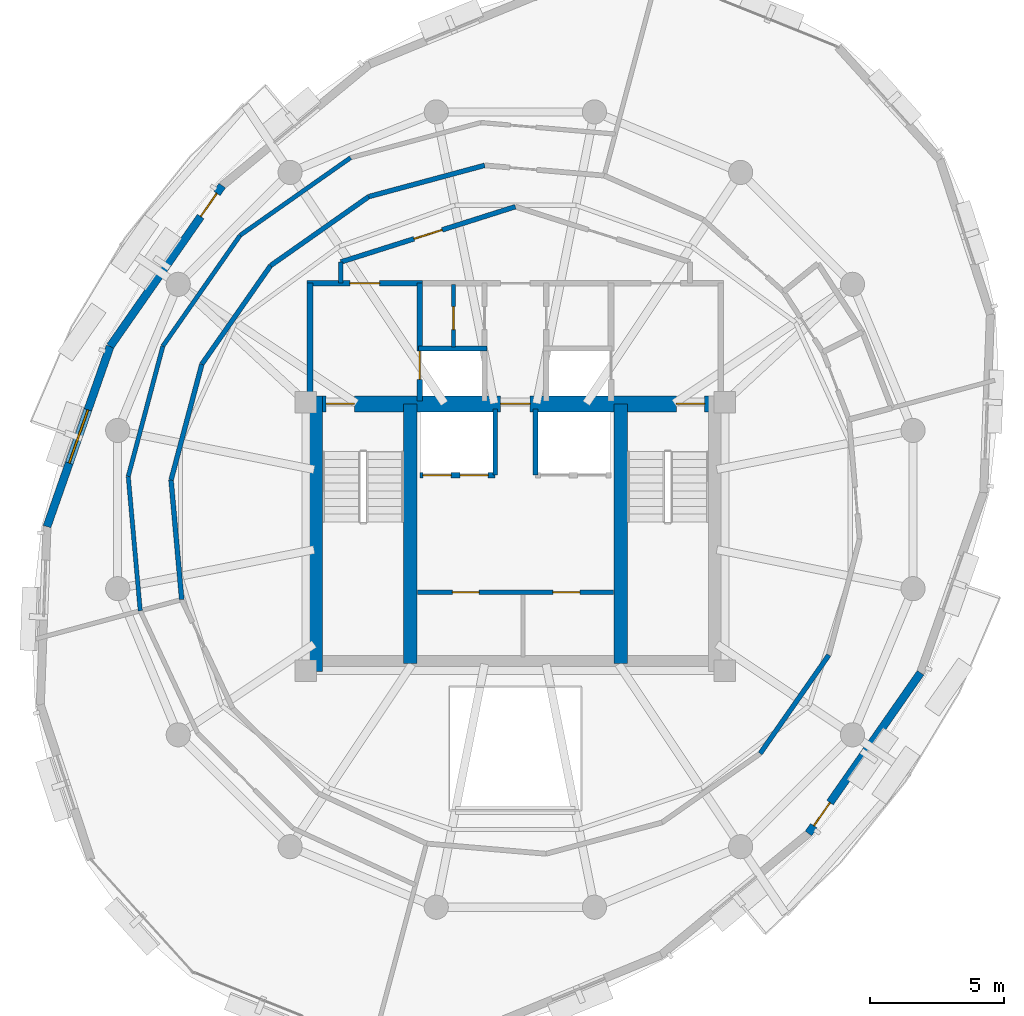
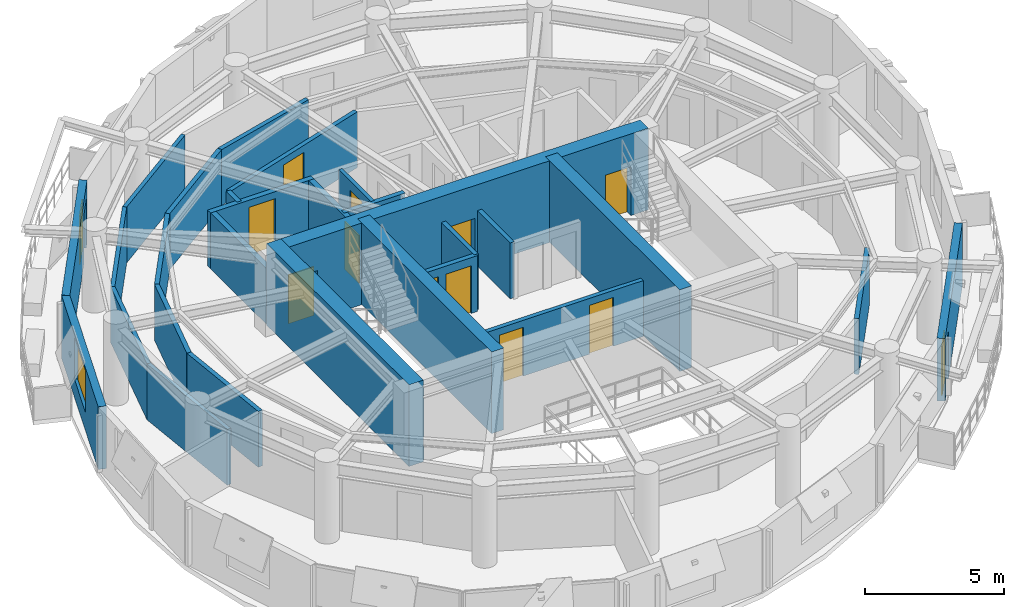
# One storey, part 7 of 11: 28 walls, 13 doors, 1 window, 14 openings.
"""IFC4 building model written with IfcOpenShell, lengths in metres."""

from ifc_helpers import new_model, si_unit, direction, frame, frame_2d, origin, place, context, subcontext, project, spatial, rectangle, extrude, material, layer, layer_set, type_object, element, fill, save


model = new_model("IFC4")

# Units and contexts
model_context = context("Model", 3, precision=1e-05, world=origin(), true_north=direction((0.0, 1.0)))
body_context = subcontext(model_context, "Body", "Model", "MODEL_VIEW")
ifc_project = project(units=[si_unit("LENGTHUNIT", "METRE"), si_unit("AREAUNIT", "SQUARE_METRE"), si_unit("VOLUMEUNIT", "CUBIC_METRE"), si_unit("PLANEANGLEUNIT", "RADIAN"), si_unit("MASSUNIT", "GRAM", prefix="KILO"), si_unit("THERMODYNAMICTEMPERATUREUNIT", "KELVIN"), si_unit("POWERUNIT", "WATT")], contexts=[model_context])

# Site, building, storey
site_placement = place(None, origin())
site = spatial("IfcSite", under=ifc_project, at=site_placement, CompositionType="ELEMENT")
building_placement = place(site_placement, origin())
building = spatial("IfcBuilding", under=site, at=building_placement, Name="Ocrelia Relay Tower", CompositionType="ELEMENT")
storey_placement = place(building_placement, frame((0.0, 0.0, 259.199951171875)))
storey = spatial("IfcBuildingStorey", under=building, at=storey_placement, Name="L64", CompositionType="ELEMENT", Elevation=259.199951171875)

# Wall, openings, doors
ifc_material_1 = material(Name="Concrete C50/60", Category="concrete")
ifc_layer_1 = layer(ifc_material_1, 0.60009765625, Name="Concrete C50/60")
ifc_layer_set_1 = layer_set([ifc_layer_1], Name="Concrete C50/60")
wall_type_1 = type_object("IfcWallType", Name="CW-CORE-600B", PredefinedType="SHEAR", material=ifc_layer_set_1)
wall_1_placement = place(storey_placement, frame((26.221923828125, 29.93798828125, 0.0), z_axis=(0.0, 0.0, 1.0), x_axis=(1.0, 0.0, 0.0)))
wall_1 = element("IfcWall", 1, at=wall_1_placement, inside=storey, type_object=wall_type_1, Name="L64 Core Shear Wall N", PredefinedType="SHEAR", context=body_context, shape_type="SweptSolid", body=[
    extrude(rectangle(XDim=15.566162109375, YDim=0.60009765625, at=frame_2d((7.783203125, 0.0))), origin(), (0.0, 0.0, 1.0), 3.60009765625),
])
opening_1_placement = place(wall_1_placement, frame((0.72802734375, 0.0, 0.0)))
opening_1 = element("IfcOpeningElement", 2, at=opening_1_placement, cuts=wall_1, Name="Opening D-FD90", PredefinedType="OPENING", context=body_context, shape_type="SweptSolid", body=[
    extrude(rectangle(XDim=1.050048828125, YDim=2.14990234375, at=frame_2d((0.52490234375, 1.074951171875))), frame((0.0, 0.31005859375, 0.0), z_axis=(0.0, -1.0, 0.0), x_axis=(1.0, 0.0, 0.0)), (0.0, 0.0, 1.0), 0.6201171875),
])
opening_2_placement = place(wall_1_placement, frame((13.778076171875, 0.0, 0.0)))
opening_2 = element("IfcOpeningElement", 3, at=opening_2_placement, cuts=wall_1, Name="Opening D-FD90", PredefinedType="OPENING", context=body_context, shape_type="SweptSolid", body=[
    extrude(rectangle(XDim=1.050048828125, YDim=2.14990234375, at=frame_2d((0.52490234375, 1.074951171875))), frame((0.0, 0.31005859375, 0.0), z_axis=(0.0, -1.0, 0.0), x_axis=(1.0, 0.0, 0.0)), (0.0, 0.0, 1.0), 0.6201171875),
])
opening_3_placement = place(wall_1_placement, frame((7.22802734375, 0.0, 0.0)))
opening_3 = element("IfcOpeningElement", 4, at=opening_3_placement, cuts=wall_1, Name="Opening D-FD60", PredefinedType="OPENING", context=body_context, shape_type="SweptSolid", body=[
    extrude(rectangle(XDim=1.10009765625, YDim=2.14990234375, at=frame_2d((0.550048828125, 1.074951171875))), frame((0.0, 0.31005859375, 0.0), z_axis=(0.0, -1.0, 0.0), x_axis=(1.0, 0.0, 0.0)), (0.0, 0.0, 1.0), 0.6201171875),
])
ifc_material_2 = material(Name="Timber-core 60-min acoustic fire door", Category="wood")
door_type_1 = type_object("IfcDoorType", Name="DR-LOBBY-FD60-1100", OperationType="NOTDEFINED", PredefinedType="DOOR", material=ifc_material_2)
door_1_placement = place(opening_3_placement, origin())
door_1 = element("IfcDoor", 5, at=door_1_placement, inside=storey, type_object=door_type_1, Name="L64 Core Lift Lobby North Fire Door", OperationType="SINGLE_SWING_RIGHT", OverallHeight=2.14990234375, OverallWidth=1.10009765625, PredefinedType="DOOR", context=body_context, shape_type="SweptSolid", body=[
    extrude(rectangle(XDim=1.10009765625, YDim=2.14990234375, at=frame_2d((0.550048828125, 1.074951171875))), frame((0.0, 0.02490234375, 0.0), z_axis=(0.0, -1.0, 0.0), x_axis=(1.0, 0.0, 0.0)), (0.0, 0.0, 1.0), 0.050048828125),
])
fill(opening_3, door_1)
ifc_material_3 = material(Name="Steel S355 90-min fire door", Category="steel")
door_type_2 = type_object("IfcDoorType", Name="DR-STAIR-FD90-1050", OperationType="NOTDEFINED", PredefinedType="DOOR", material=ifc_material_3)
door_2_placement = place(opening_1_placement, origin())
door_2 = element("IfcDoor", 6, at=door_2_placement, inside=storey, type_object=door_type_2, Name="L64 Stair ST1 Fire Door", OperationType="SINGLE_SWING_RIGHT", OverallHeight=2.14990234375, OverallWidth=1.050048828125, PredefinedType="DOOR", context=body_context, shape_type="SweptSolid", body=[
    extrude(rectangle(XDim=1.050048828125, YDim=2.14990234375, at=frame_2d((0.52490234375, 1.074951171875))), frame((0.0, 0.02490234375, 0.0), z_axis=(0.0, -1.0, 0.0), x_axis=(1.0, 0.0, 0.0)), (0.0, 0.0, 1.0), 0.050048828125),
])
fill(opening_1, door_2)
door_3_placement = place(opening_2_placement, origin())
door_3 = element("IfcDoor", 7, at=door_3_placement, inside=storey, type_object=door_type_2, Name="L64 Stair ST2 Fire Door", OperationType="SINGLE_SWING_LEFT", OverallHeight=2.14990234375, OverallWidth=1.050048828125, PredefinedType="DOOR", context=body_context, shape_type="SweptSolid", body=[
    extrude(rectangle(XDim=1.050048828125, YDim=2.14990234375, at=frame_2d((0.52490234375, 1.074951171875))), frame((0.0, 0.02490234375, 0.0), z_axis=(0.0, -1.0, 0.0), x_axis=(1.0, 0.0, 0.0)), (0.0, 0.0, 1.0), 0.050048828125),
])
fill(opening_2, door_3)

# Walls
wall_2_placement = place(storey_placement, frame((26.52197265625, 19.9619140625, 0.0), z_axis=(0.0, 0.0, 1.0), x_axis=(0.0, 1.0, 0.0)))
element("IfcWall", 8, at=wall_2_placement, inside=storey, type_object=wall_type_1, Name="L64 Core Shear Wall W", PredefinedType="SHEAR", context=body_context, shape_type="SweptSolid", body=[
    extrude(rectangle(XDim=10.276123046875, YDim=0.60009765625, at=frame_2d((5.13818359375, 0.0))), origin(), (0.0, 0.0, 1.0), 3.60009765625),
])
for number, where, z_axis, x_axis, name in (
    (9, (30.087890625, 20.261962890625, 0.0), (0.0, 0.0, 1.0), (0.0, 1.0, 0.0), "L64 Core Shear Wall SPW"),
    (10, (37.922119140625, 20.261962890625, 0.0), (0.0, 0.0, 1.0), (0.0, 1.0, 0.0), "L64 Core Shear Wall SPE"),
):
    element("IfcWall", number, at=place(storey_placement, frame(where, z_axis=z_axis, x_axis=x_axis)), inside=storey, type_object=wall_type_1, Name=name, PredefinedType="SHEAR", context=body_context, shape_type="SweptSolid", body=[
        extrude(rectangle(XDim=9.676025390625, YDim=0.5, at=frame_2d((4.837890625, 0.0))), origin(), (0.0, 0.0, 1.0), 3.60009765625),
    ])

# Wall, openings, doors
ifc_material_4 = material(Name="Gypsum Fireboard Partition EI60", Category="gypsum")
ifc_layer_2 = layer(ifc_material_4, 0.179931640625, Name="Gypsum Fireboard Partition EI60")
ifc_layer_set_2 = layer_set([ifc_layer_2], Name="Gypsum Fireboard Partition EI60")
wall_type_2 = type_object("IfcWallType", Name="W-CORR-EI60-180", PredefinedType="PARTITIONING", material=ifc_layer_set_2)
wall_3_placement = place(storey_placement, frame((30.35009765625, 22.919921875, 0.0), z_axis=(0.0, 0.0, 1.0), x_axis=(1.0, 0.0, 0.0)))
wall_3 = element("IfcWall", 11, at=wall_3_placement, inside=storey, type_object=wall_type_2, Name="L64 Reclaimed Core Room Partition", PredefinedType="PARTITIONING", context=body_context, shape_type="SweptSolid", body=[
    extrude(rectangle(XDim=7.2998046875, YDim=0.179931640625, at=frame_2d((3.64990234375, 0.0))), origin(), (0.0, 0.0, 1.0), 2.4599609375),
])
opening_4_placement = place(wall_3_placement, frame((1.300048828125, 0.0, 0.0)))
opening_4 = element("IfcOpeningElement", 12, at=opening_4_placement, cuts=wall_3, Name="Opening D-RM100", PredefinedType="OPENING", context=body_context, shape_type="SweptSolid", body=[
    extrude(rectangle(XDim=1.0, YDim=2.14990234375, at=frame_2d((0.5, 1.074951171875))), frame((0.0, 0.10009765625, 0.0), z_axis=(0.0, -1.0, 0.0), x_axis=(1.0, 0.0, 0.0)), (0.0, 0.0, 1.0), 0.199951171875),
])
opening_5_placement = place(wall_3_placement, frame((5.050048828125, 0.0, 0.0)))
opening_5 = element("IfcOpeningElement", 13, at=opening_5_placement, cuts=wall_3, Name="Opening D-RM100", PredefinedType="OPENING", context=body_context, shape_type="SweptSolid", body=[
    extrude(rectangle(XDim=1.0, YDim=2.14990234375, at=frame_2d((0.5, 1.074951171875))), frame((0.0, 0.10009765625, 0.0), z_axis=(0.0, -1.0, 0.0), x_axis=(1.0, 0.0, 0.0)), (0.0, 0.0, 1.0), 0.199951171875),
])
ifc_material_5 = material(Name="Acoustic oak veneer fire door", Category="wood")
door_type_3 = type_object("IfcDoorType", Name="DR-ROOM-FD60-1000", OperationType="NOTDEFINED", PredefinedType="DOOR", material=ifc_material_5)
door_4_placement = place(opening_4_placement, origin())
door_4 = element("IfcDoor", 14, at=door_4_placement, inside=storey, type_object=door_type_3, Name="L64 Reclaimed Core Room 1 Door", OperationType="SINGLE_SWING_LEFT", OverallHeight=2.14990234375, OverallWidth=1.0, PredefinedType="DOOR", context=body_context, shape_type="SweptSolid", body=[
    extrude(rectangle(XDim=1.0, YDim=2.14990234375, at=frame_2d((0.5, 1.074951171875))), frame((0.0, 0.02490234375, 0.0), z_axis=(0.0, -1.0, 0.0), x_axis=(1.0, 0.0, 0.0)), (0.0, 0.0, 1.0), 0.050048828125),
])
fill(opening_4, door_4)
door_5_placement = place(opening_5_placement, origin())
door_5 = element("IfcDoor", 15, at=door_5_placement, inside=storey, type_object=door_type_3, Name="L64 Reclaimed Core Room 2 Door", OperationType="SINGLE_SWING_RIGHT", OverallHeight=2.14990234375, OverallWidth=1.0, PredefinedType="DOOR", context=body_context, shape_type="SweptSolid", body=[
    extrude(rectangle(XDim=1.0, YDim=2.14990234375, at=frame_2d((0.5, 1.074951171875))), frame((0.0, 0.02490234375, 0.0), z_axis=(0.0, -1.0, 0.0), x_axis=(1.0, 0.0, 0.0)), (0.0, 0.0, 1.0), 0.050048828125),
])
fill(opening_5, door_5)

# Wall
wall_4_placement = place(storey_placement, frame((27.5, 34.429931640625, 0.0), z_axis=(0.0, 0.0, 1.0), x_axis=(0.0, 1.0, 0.0)))
element("IfcWall", 16, at=wall_4_placement, inside=storey, type_object=wall_type_2, Name="L64 Smoke Lobby West Return", PredefinedType="PARTITIONING", context=body_context, shape_type="SweptSolid", body=[
    extrude(rectangle(XDim=0.7890625, YDim=0.179931640625, at=frame_2d((0.39453125, 0.0))), origin(), (0.0, 0.0, 1.0), 2.4599609375),
])

# Wall, opening, door
wall_5_placement = place(storey_placement, frame((27.5, 35.218994140625, 0.0), z_axis=(0.0, 0.0, 1.0), x_axis=(0.953228121756, 0.302251795518, 0.0)))
wall_5 = element("IfcWall", 17, at=wall_5_placement, inside=storey, type_object=wall_type_2, Name="L64 North Smoke Lobby W Screen Wall", PredefinedType="PARTITIONING", context=body_context, shape_type="SweptSolid", body=[
    extrude(rectangle(XDim=6.81884765625, YDim=0.179931640625, at=frame_2d((3.409423828125, 0.0))), origin(), (0.0, 0.0, 1.0), 2.4599609375),
])
opening_6_placement = place(wall_5_placement, frame((2.859619140625, 0.0, 0.0)))
opening_6 = element("IfcOpeningElement", 18, at=opening_6_placement, cuts=wall_5, Name="Opening D-FD60", PredefinedType="OPENING", context=body_context, shape_type="SweptSolid", body=[
    extrude(rectangle(XDim=1.10009765625, YDim=2.14990234375, at=frame_2d((0.550048828125, 1.074951171875))), frame((0.0, 0.10009765625, 0.0), z_axis=(0.0, -1.0, 0.0), x_axis=(1.0, 0.0, 0.0)), (0.0, 0.0, 1.0), 0.199951171875),
])
door_6_placement = place(opening_6_placement, origin())
door_6 = element("IfcDoor", 19, at=door_6_placement, inside=storey, type_object=door_type_1, Name="L64 North Smoke Lobby W Fire Door", OperationType="SINGLE_SWING_LEFT", OverallHeight=2.14990234375, OverallWidth=1.10009765625, PredefinedType="DOOR", context=body_context, shape_type="SweptSolid", body=[
    extrude(rectangle(XDim=1.10009765625, YDim=2.14990234375, at=frame_2d((0.550048828125, 1.074951171875))), frame((0.0, 0.02490234375, 0.0), z_axis=(0.0, -1.0, 0.0), x_axis=(1.0, 0.0, 0.0)), (0.0, 0.0, 1.0), 0.050048828125),
])
fill(opening_6, door_6)

# Walls
wall_6_placement = place(storey_placement, frame((32.85595703125, 38.819091796875, 0.0), z_axis=(0.0, 0.0, 1.0), x_axis=(-0.965477450323, -0.260486646333, 0.0)))
element("IfcWall", 20, at=wall_6_placement, inside=storey, type_object=wall_type_2, Name="L64 Principal Reading Gallery Corridor Partition 2", PredefinedType="PARTITIONING", context=body_context, shape_type="SweptSolid", body=[
    extrude(rectangle(XDim=4.4697265625, YDim=0.179931640625, at=frame_2d((2.23486328125, 0.0))), origin(), (0.0, 0.0, 1.0), 2.4599609375),
])
wall_7_placement = place(storey_placement, frame((28.54052734375, 37.65478515625, 0.0), z_axis=(0.0, 0.0, 1.0), x_axis=(-0.818142386299, -0.57501568304, 0.0)))
element("IfcWall", 21, at=wall_7_placement, inside=storey, type_object=wall_type_2, Name="L64 Principal Reading Gallery Corridor Partition 3", PredefinedType="PARTITIONING", context=body_context, shape_type="SweptSolid", body=[
    extrude(rectangle(XDim=4.469482421875, YDim=0.179931640625, at=frame_2d((2.23486328125, 0.0))), origin(), (0.0, 0.0, 1.0), 2.4599609375),
])
wall_8_placement = place(storey_placement, frame((24.8837890625, 35.084716796875, 0.0), z_axis=(0.0, 0.0, 1.0), x_axis=(-0.57213460561, -0.82015973631, 0.0)))
element("IfcWall", 22, at=wall_8_placement, inside=storey, type_object=wall_type_2, Name="L64 Principal Reading Gallery Corridor Partition 4", PredefinedType="PARTITIONING", context=body_context, shape_type="SweptSolid", body=[
    extrude(rectangle(XDim=4.469970703125, YDim=0.179931640625, at=frame_2d((2.23486328125, 0.0))), origin(), (0.0, 0.0, 1.0), 2.4599609375),
])
wall_9_placement = place(storey_placement, frame((22.326416015625, 31.418701171875, 0.0), z_axis=(0.0, 0.0, 1.0), x_axis=(-0.257159460404, -0.966368983321, 0.0)))
element("IfcWall", 23, at=wall_9_placement, inside=storey, type_object=wall_type_2, Name="L64 Principal Reading Gallery Corridor Partition 5", PredefinedType="PARTITIONING", context=body_context, shape_type="SweptSolid", body=[
    extrude(rectangle(XDim=4.4697265625, YDim=0.179931640625, at=frame_2d((2.23486328125, 0.0))), origin(), (0.0, 0.0, 1.0), 2.4599609375),
])
for number, where, z_axis, x_axis, name in (
    (24, (21.177001953125, 27.099365234375, 0.0), (0.0, 0.0, 1.0), (0.088920326386, -0.996038741995, 0.0), "L64 Principal Reading Gallery Corridor Partition 6"),
    (25, (43.1162109375, 16.915283203125, 0.0), (0.0, 0.0, 1.0), (0.57213460561, 0.82015973631, 0.0), "L64 Fellows Quiet Study Corridor Partition 4"),
):
    element("IfcWall", number, at=place(storey_placement, frame(where, z_axis=z_axis, x_axis=x_axis)), inside=storey, type_object=wall_type_2, Name=name, PredefinedType="PARTITIONING", context=body_context, shape_type="SweptSolid", body=[
        extrude(rectangle(XDim=4.469970703125, YDim=0.179931640625, at=frame_2d((2.23486328125, 0.0))), origin(), (0.0, 0.0, 1.0), 2.4599609375),
    ])

# Wall, opening, door
ifc_material_6 = material(Name="Precast concrete C40/50 with oxide terracotta", Category="masonry")
ifc_layer_3 = layer(ifc_material_6, 0.300048828125, Name="Precast concrete C40/50 with oxide terracotta")
ifc_layer_set_3 = layer_set([ifc_layer_3], Name="Precast concrete C40/50 with oxide terracotta")
wall_type_3 = type_object("IfcWallType", Name="W-EXT-TERR-300", PredefinedType="SOLIDWALL", material=ifc_layer_set_3)
wall_10_placement = place(storey_placement, frame((23.08251953125, 38.0625, 0.0), z_axis=(0.0, 0.0, 1.0), x_axis=(-0.572120331255, -0.820169693761, 0.0)))
wall_10 = element("IfcWall", 26, at=wall_10_placement, inside=storey, type_object=wall_type_3, Name="L64 Oxide Terracotta Facade Wall 05", PredefinedType="SOLIDWALL", context=body_context, shape_type="SweptSolid", body=[
    extrude(rectangle(XDim=7.293212890625, YDim=0.300048828125, at=frame_2d((3.646484375, 0.0))), origin(), (0.0, 0.0, 1.0), 2.760009765625),
])
opening_7_placement = place(wall_10_placement, frame((0.35009765625, 0.0, 0.0)))
opening_7 = element("IfcOpeningElement", 27, at=opening_7_placement, cuts=wall_10, Name="Opening DB-105", PredefinedType="OPENING", context=body_context, shape_type="SweptSolid", body=[
    extrude(rectangle(XDim=1.050048828125, YDim=2.14990234375, at=frame_2d((0.52490234375, 1.074951171875))), frame((0.0, 0.16015625, 0.0), z_axis=(0.0, -1.0, 0.0), x_axis=(1.0, 0.0, 0.0)), (0.0, 0.0, 1.0), 0.320068359375),
])
ifc_material_7 = material(Name="Thermally broken aluminium and clear glass", Category="aluminium")
door_type_4 = type_object("IfcDoorType", Name="DR-BALC-1050", OperationType="NOTDEFINED", PredefinedType="DOOR", material=ifc_material_7)
door_7_placement = place(opening_7_placement, origin())
door_7 = element("IfcDoor", 28, at=door_7_placement, inside=storey, type_object=door_type_4, Name="L64 Planted Loggia Balcony Door B1", OperationType="SINGLE_SWING_LEFT", OverallHeight=2.14990234375, OverallWidth=1.050048828125, PredefinedType="DOOR", context=body_context, shape_type="SweptSolid", body=[
    extrude(rectangle(XDim=1.050048828125, YDim=2.14990234375, at=frame_2d((0.52490234375, 1.074951171875))), frame((0.0, 0.02490234375, 0.0), z_axis=(0.0, -1.0, 0.0), x_axis=(1.0, 0.0, 0.0)), (0.0, 0.0, 1.0), 0.050048828125),
])
fill(opening_7, door_7)

# Wall, opening, window
wall_11_placement = place(storey_placement, frame((18.909912109375, 32.080810546875, 0.0), z_axis=(0.0, 0.0, 1.0), x_axis=(-0.330663722263, -0.943748643856, 0.0)))
wall_11 = element("IfcWall", 29, at=wall_11_placement, inside=storey, type_object=wall_type_3, Name="L64 Oxide Terracotta Facade Wall 06", PredefinedType="SOLIDWALL", context=body_context, shape_type="SweptSolid", body=[
    extrude(rectangle(XDim=7.115234375, YDim=0.300048828125, at=frame_2d((3.5576171875, 0.0))), origin(), (0.0, 0.0, 1.0), 2.760009765625),
])
opening_8_placement = place(wall_11_placement, frame((2.508056640625, 0.0, 0.800048828125)))
opening_8 = element("IfcOpeningElement", 30, at=opening_8_placement, cuts=wall_11, Name="Opening W-07", PredefinedType="OPENING", context=body_context, shape_type="SweptSolid", body=[
    extrude(rectangle(XDim=2.10009765625, YDim=1.85009765625, at=frame_2d((1.050048828125, 0.925048828125))), frame((0.0, 0.16015625, 0.0), z_axis=(0.0, -1.0, 0.0), x_axis=(1.0, 0.0, 0.0)), (0.0, 0.0, 1.0), 0.320068359375),
])
ifc_material_8 = material(Name="Clear double-glazed low-E glass", Category="glass")
window_type = type_object("IfcWindowType", Name="WIN-Z4-2100x2200", PartitioningType="DOUBLE_PANEL_VERTICAL", PredefinedType="WINDOW", material=ifc_material_8)
window_placement = place(opening_8_placement, origin())
window = element("IfcWindow", 31, at=window_placement, inside=storey, type_object=window_type, Name="L64 Facade Module Window 06", OverallHeight=1.85009765625, OverallWidth=2.10009765625, PartitioningType="SINGLE_PANEL", PredefinedType="WINDOW", context=body_context, shape_type="SweptSolid", body=[
    extrude(rectangle(XDim=2.10009765625, YDim=1.85009765625, at=frame_2d((1.050048828125, 0.925048828125))), frame((0.0, 0.030029296875, 0.0), z_axis=(0.0, -1.0, 0.0), x_axis=(1.0, 0.0, 0.0)), (0.0, 0.0, 1.0), 0.06005859375),
])
fill(opening_8, window)

# Wall, opening, door
wall_12_placement = place(storey_placement, frame((44.91748046875, 13.9375, 0.0), z_axis=(0.0, 0.0, 1.0), x_axis=(0.572120331255, 0.820169693761, 0.0)))
wall_12 = element("IfcWall", 32, at=wall_12_placement, inside=storey, type_object=wall_type_3, Name="L64 Oxide Terracotta Facade Wall 14", PredefinedType="SOLIDWALL", context=body_context, shape_type="SweptSolid", body=[
    extrude(rectangle(XDim=7.293212890625, YDim=0.300048828125, at=frame_2d((3.646484375, 0.0))), origin(), (0.0, 0.0, 1.0), 2.760009765625),
])
opening_9_placement = place(wall_12_placement, frame((0.35009765625, 0.0, 0.0)))
opening_9 = element("IfcOpeningElement", 33, at=opening_9_placement, cuts=wall_12, Name="Opening DB-105", PredefinedType="OPENING", context=body_context, shape_type="SweptSolid", body=[
    extrude(rectangle(XDim=1.050048828125, YDim=2.14990234375, at=frame_2d((0.52490234375, 1.074951171875))), frame((0.0, 0.16015625, 0.0), z_axis=(0.0, -1.0, 0.0), x_axis=(1.0, 0.0, 0.0)), (0.0, 0.0, 1.0), 0.320068359375),
])
door_8_placement = place(opening_9_placement, origin())
door_8 = element("IfcDoor", 34, at=door_8_placement, inside=storey, type_object=door_type_4, Name="L64 Planted Loggia Balcony Door B2", OperationType="SINGLE_SWING_LEFT", OverallHeight=2.14990234375, OverallWidth=1.050048828125, PredefinedType="DOOR", context=body_context, shape_type="SweptSolid", body=[
    extrude(rectangle(XDim=1.050048828125, YDim=2.14990234375, at=frame_2d((0.52490234375, 1.074951171875))), frame((0.0, 0.02490234375, 0.0), z_axis=(0.0, -1.0, 0.0), x_axis=(1.0, 0.0, 0.0)), (0.0, 0.0, 1.0), 0.050048828125),
])
fill(opening_9, door_8)

# Wall
ifc_layer_4 = layer(ifc_material_1, 0.219970703125, Name="Concrete C50/60")
ifc_layer_set_4 = layer_set([ifc_layer_4], Name="Concrete C50/60")
wall_type_4 = type_object("IfcWallType", Name="W-FFL-EI120-220", PredefinedType="SOLIDWALL", material=ifc_layer_set_4)
wall_13_placement = place(storey_placement, frame((26.35009765625, 30.050048828125, 0.0), z_axis=(0.0, 0.0, 1.0), x_axis=(0.0, 1.0, 0.0)))
element("IfcWall", 35, at=wall_13_placement, inside=storey, type_object=wall_type_4, Name="L64 W Fire Service Lift Lobby West Wall", PredefinedType="SOLIDWALL", context=body_context, shape_type="SweptSolid", body=[
    extrude(rectangle(XDim=4.3798828125, YDim=0.219970703125, at=frame_2d((2.18994140625, 0.0))), origin(), (0.0, 0.0, 1.0), 2.4599609375),
])

# Wall, opening, door
wall_14_placement = place(storey_placement, frame((30.43994140625, 30.050048828125, 0.0), z_axis=(0.0, 0.0, 1.0), x_axis=(0.0, 1.0, 0.0)))
wall_14 = element("IfcWall", 36, at=wall_14_placement, inside=storey, type_object=wall_type_4, Name="L64 W Fire Service Lift Lobby East Wall", PredefinedType="SOLIDWALL", context=body_context, shape_type="SweptSolid", body=[
    extrude(rectangle(XDim=4.3798828125, YDim=0.219970703125, at=frame_2d((2.18994140625, 0.0))), origin(), (0.0, 0.0, 1.0), 2.4599609375),
])
opening_10_placement = place(wall_14_placement, frame((0.800048828125, 0.0, 0.0)))
opening_10 = element("IfcOpeningElement", 37, at=opening_10_placement, cuts=wall_14, Name="Opening LD-FFL1", PredefinedType="OPENING", context=body_context, shape_type="SweptSolid", body=[
    extrude(rectangle(XDim=1.050048828125, YDim=2.10009765625, at=frame_2d((0.52490234375, 1.050048828125))), frame((0.0, 0.1201171875, 0.0), z_axis=(0.0, -1.0, 0.0), x_axis=(1.0, 0.0, 0.0)), (0.0, 0.0, 1.0), 0.239990234375),
])
ifc_material_9 = material(Name="Brushed stainless steel S355 lift landing door", Category="steel")
door_type_5 = type_object("IfcDoorType", Name="DR-LIFT-LAND-1050", OperationType="DOUBLE_DOOR_SLIDING", PredefinedType="USERDEFINED", material=ifc_material_9)
door_9_placement = place(opening_10_placement, origin())
door_9 = element("IfcDoor", 38, at=door_9_placement, inside=storey, type_object=door_type_5, Name="L64 Firefighting Lift FFL1 Sliding Landing Door", ObjectType="LANDING DOOR", OperationType="DOUBLE_DOOR_SLIDING", OverallHeight=2.10009765625, OverallWidth=1.050048828125, PredefinedType="USERDEFINED", context=body_context, shape_type="SweptSolid", body=[
    extrude(rectangle(XDim=1.050048828125, YDim=2.10009765625, at=frame_2d((0.52490234375, 1.050048828125))), frame((0.0, 0.02490234375, 0.0), z_axis=(0.0, -1.0, 0.0), x_axis=(1.0, 0.0, 0.0)), (0.0, 0.0, 1.0), 0.050048828125),
])
fill(opening_10, door_9)

wall_15_placement = place(storey_placement, frame((26.239990234375, 34.429931640625, 0.0), z_axis=(0.0, 0.0, 1.0), x_axis=(1.0, 0.0, 0.0)))
wall_15 = element("IfcWall", 39, at=wall_15_placement, inside=storey, type_object=wall_type_4, Name="L64 W Fire Service Lift Lobby North Wall", PredefinedType="SOLIDWALL", context=body_context, shape_type="SweptSolid", body=[
    extrude(rectangle(XDim=4.31005859375, YDim=0.219970703125, at=frame_2d((2.155029296875, 0.0))), origin(), (0.0, 0.0, 1.0), 2.4599609375),
])
opening_11_placement = place(wall_15_placement, frame((1.60009765625, 0.0, 0.0)))
opening_11 = element("IfcOpeningElement", 40, at=opening_11_placement, cuts=wall_15, Name="Opening D-FD60", PredefinedType="OPENING", context=body_context, shape_type="SweptSolid", body=[
    extrude(rectangle(XDim=1.10009765625, YDim=2.14990234375, at=frame_2d((0.550048828125, 1.074951171875))), frame((0.0, 0.1201171875, 0.0), z_axis=(0.0, -1.0, 0.0), x_axis=(1.0, 0.0, 0.0)), (0.0, 0.0, 1.0), 0.239990234375),
])
door_10_placement = place(opening_11_placement, origin())
door_10 = element("IfcDoor", 41, at=door_10_placement, inside=storey, type_object=door_type_1, Name="L64 W Fire Service Lift Lobby Exit Door", OperationType="SINGLE_SWING_LEFT", OverallHeight=2.14990234375, OverallWidth=1.10009765625, PredefinedType="DOOR", context=body_context, shape_type="SweptSolid", body=[
    extrude(rectangle(XDim=1.10009765625, YDim=2.14990234375, at=frame_2d((0.550048828125, 1.074951171875))), frame((0.0, 0.02490234375, 0.0), z_axis=(0.0, -1.0, 0.0), x_axis=(1.0, 0.0, 0.0)), (0.0, 0.0, 1.0), 0.050048828125),
])
fill(opening_11, door_10)

ifc_material_10 = material(Name="Acoustic Fireboard Partition EI60", Category="gypsum")
ifc_layer_5 = layer(ifc_material_10, 0.14990234375, Name="Acoustic Fireboard Partition EI60")
ifc_layer_set_5 = layer_set([ifc_layer_5], Name="Acoustic Fireboard Partition EI60")
wall_type_5 = type_object("IfcWallType", Name="W-PART-150", PredefinedType="PARTITIONING", material=ifc_layer_set_5)
wall_16_placement = place(storey_placement, frame((31.68994140625, 32.050048828125, 0.0), z_axis=(0.0, 0.0, 1.0), x_axis=(0.0, 1.0, 0.0)))
wall_16 = element("IfcWall", 42, at=wall_16_placement, inside=storey, type_object=wall_type_5, Name="L64 West Core Support Partition", PredefinedType="PARTITIONING", context=body_context, shape_type="SweptSolid", body=[
    extrude(rectangle(XDim=2.329833984375, YDim=0.14990234375, at=frame_2d((1.1650390625, 0.0))), origin(), (0.0, 0.0, 1.0), 2.4599609375),
])
opening_12_placement = place(wall_16_placement, frame((0.64990234375, 0.0, 0.0)))
opening_12 = element("IfcOpeningElement", 43, at=opening_12_placement, cuts=wall_16, Name="Opening D-RS86", PredefinedType="OPENING", context=body_context, shape_type="SweptSolid", body=[
    extrude(rectangle(XDim=0.860107421875, YDim=2.050048828125, at=frame_2d((0.43017578125, 1.02490234375))), frame((0.0, 0.0849609375, 0.0), z_axis=(0.0, -1.0, 0.0), x_axis=(1.0, 0.0, 0.0)), (0.0, 0.0, 1.0), 0.169921875),
])
ifc_material_11 = material(Name="Steel S355 riser access fire door", Category="steel")
door_type_6 = type_object("IfcDoorType", Name="DR-RISER-TRAP-860", OperationType="NOTDEFINED", PredefinedType="TRAPDOOR", material=ifc_material_11)
door_11_placement = place(opening_12_placement, origin())
door_11 = element("IfcDoor", 44, at=door_11_placement, inside=storey, type_object=door_type_6, Name="L64 West Core Store Connecting Door", OperationType="SINGLE_SWING_RIGHT", OverallHeight=2.050048828125, OverallWidth=0.860107421875, PredefinedType="TRAPDOOR", context=body_context, shape_type="SweptSolid", body=[
    extrude(rectangle(XDim=0.860107421875, YDim=2.050048828125, at=frame_2d((0.43017578125, 1.02490234375))), frame((0.0, 0.02490234375, 0.0), z_axis=(0.0, -1.0, 0.0), x_axis=(1.0, 0.0, 0.0)), (0.0, 0.0, 1.0), 0.050048828125),
])
fill(opening_12, door_11)

# Walls
ifc_layer_6 = layer(ifc_material_10, 0.159912109375, Name="Acoustic Fireboard Partition EI60")
ifc_layer_set_6 = layer_set([ifc_layer_6], Name="Acoustic Fireboard Partition EI60")
wall_type_6 = type_object("IfcWallType", Name="W-PART-160", PredefinedType="PARTITIONING", material=ifc_layer_set_6)
wall_17_placement = place(storey_placement, frame((27.86181640625, 39.103515625, 0.0), z_axis=(0.0, 0.0, 1.0), x_axis=(-0.818173783984, -0.574971007271, 0.0)))
element("IfcWall", 45, at=wall_17_placement, inside=storey, type_object=wall_type_6, Name="L64 Perimeter Principal Reading Gallery Mid-Ring Partition 3", PredefinedType="PARTITIONING", context=body_context, shape_type="SweptSolid", body=[
    extrude(rectangle(XDim=5.025390625, YDim=0.159912109375, at=frame_2d((2.5126953125, 0.0))), origin(), (0.0, 0.0, 1.0), 2.4599609375),
])
wall_18_placement = place(storey_placement, frame((23.750244140625, 36.214111328125, 0.0), z_axis=(0.0, 0.0, 1.0), x_axis=(-0.572121563647, -0.820168834088, 0.0)))
element("IfcWall", 46, at=wall_18_placement, inside=storey, type_object=wall_type_6, Name="L64 Perimeter Principal Reading Gallery Mid-Ring Partition 4", PredefinedType="PARTITIONING", context=body_context, shape_type="SweptSolid", body=[
    extrude(rectangle(XDim=5.025634765625, YDim=0.159912109375, at=frame_2d((2.5126953125, 0.0))), origin(), (0.0, 0.0, 1.0), 2.4599609375),
])
wall_19_placement = place(storey_placement, frame((20.875, 32.09228515625, 0.0), z_axis=(0.0, 0.0, 1.0), x_axis=(-0.257106210851, -0.966383151934, 0.0)))
element("IfcWall", 47, at=wall_19_placement, inside=storey, type_object=wall_type_6, Name="L64 Perimeter Principal Reading Gallery Mid-Ring Partition 5", PredefinedType="PARTITIONING", context=body_context, shape_type="SweptSolid", body=[
    extrude(rectangle(XDim=5.025146484375, YDim=0.159912109375, at=frame_2d((2.5126953125, 0.0))), origin(), (0.0, 0.0, 1.0), 2.4599609375),
])
wall_20_placement = place(storey_placement, frame((19.5830078125, 27.236083984375, 0.0), z_axis=(0.0, 0.0, 1.0), x_axis=(0.088853618843, -0.99604469499, 0.0)))
element("IfcWall", 48, at=wall_20_placement, inside=storey, type_object=wall_type_6, Name="L64 Perimeter Principal Reading Gallery Mid-Ring Partition 6", PredefinedType="PARTITIONING", context=body_context, shape_type="SweptSolid", body=[
    extrude(rectangle(XDim=5.025390625, YDim=0.159912109375, at=frame_2d((2.5126953125, 0.0))), origin(), (0.0, 0.0, 1.0), 2.4599609375),
])
ifc_layer_7 = layer(ifc_material_1, 0.199951171875, Name="Concrete C50/60")
ifc_layer_set_7 = layer_set([ifc_layer_7], Name="Concrete C50/60")
wall_type_7 = type_object("IfcWallType", Name="W-SHAFT-EI120-200", PredefinedType="SOLIDWALL", material=ifc_layer_set_7)
wall_21_placement = place(storey_placement, frame((30.39990234375, 32.0, 0.0), z_axis=(0.0, 0.0, 1.0), x_axis=(1.0, 0.0, 0.0)))
element("IfcWall", 49, at=wall_21_placement, inside=storey, type_object=wall_type_7, Name="L64 FFL1 Hoistway North Wall", PredefinedType="SOLIDWALL", context=body_context, shape_type="SweptSolid", body=[
    extrude(rectangle(XDim=2.550048828125, YDim=0.199951171875, at=frame_2d((1.27490234375, 0.0))), origin(), (0.0, 0.0, 1.0), 2.4599609375),
])

# Wall, openings, doors
wall_22_placement = place(storey_placement, frame((30.43994140625, 27.280029296875, 0.0), z_axis=(0.0, 0.0, 1.0), x_axis=(1.0, 0.0, 0.0)))
wall_22 = element("IfcWall", 50, at=wall_22_placement, inside=storey, type_object=wall_type_7, Name="L64 High-Rise Lift Hoistway Wall W", PredefinedType="SOLIDWALL", context=body_context, shape_type="SweptSolid", body=[
    extrude(rectangle(XDim=2.81005859375, YDim=0.199951171875, at=frame_2d((1.405029296875, 0.0))), origin(), (0.0, 0.0, 1.0), 2.4599609375),
])
opening_13_placement = place(wall_22_placement, frame((0.1201171875, 0.0, 0.0)))
opening_13 = element("IfcOpeningElement", 51, at=opening_13_placement, cuts=wall_22, Name="Opening LD-PL5", PredefinedType="OPENING", context=body_context, shape_type="SweptSolid", body=[
    extrude(rectangle(XDim=1.050048828125, YDim=2.10009765625, at=frame_2d((0.52490234375, 1.050048828125))), frame((0.0, 0.10986328125, 0.0), z_axis=(0.0, -1.0, 0.0), x_axis=(1.0, 0.0, 0.0)), (0.0, 0.0, 1.0), 0.219970703125),
])
opening_14_placement = place(wall_22_placement, frame((1.5, 0.0, 0.0)))
opening_14 = element("IfcOpeningElement", 52, at=opening_14_placement, cuts=wall_22, Name="Opening LD-PL6", PredefinedType="OPENING", context=body_context, shape_type="SweptSolid", body=[
    extrude(rectangle(XDim=1.050048828125, YDim=2.10009765625, at=frame_2d((0.52490234375, 1.050048828125))), frame((0.0, 0.10986328125, 0.0), z_axis=(0.0, -1.0, 0.0), x_axis=(1.0, 0.0, 0.0)), (0.0, 0.0, 1.0), 0.219970703125),
])
door_12_placement = place(opening_13_placement, origin())
door_12 = element("IfcDoor", 53, at=door_12_placement, inside=storey, type_object=door_type_5, Name="L64 High-Rise Lift PL5 Sliding Landing Door", ObjectType="LANDING DOOR", OperationType="DOUBLE_DOOR_SLIDING", OverallHeight=2.10009765625, OverallWidth=1.050048828125, PredefinedType="USERDEFINED", context=body_context, shape_type="SweptSolid", body=[
    extrude(rectangle(XDim=1.050048828125, YDim=2.10009765625, at=frame_2d((0.52490234375, 1.050048828125))), frame((0.0, 0.02490234375, 0.0), z_axis=(0.0, -1.0, 0.0), x_axis=(1.0, 0.0, 0.0)), (0.0, 0.0, 1.0), 0.050048828125),
])
fill(opening_13, door_12)
door_13_placement = place(opening_14_placement, origin())
door_13 = element("IfcDoor", 54, at=door_13_placement, inside=storey, type_object=door_type_5, Name="L64 High-Rise Lift PL6 Sliding Landing Door", ObjectType="LANDING DOOR", OperationType="DOUBLE_DOOR_SLIDING", OverallHeight=2.10009765625, OverallWidth=1.050048828125, PredefinedType="USERDEFINED", context=body_context, shape_type="SweptSolid", body=[
    extrude(rectangle(XDim=1.050048828125, YDim=2.10009765625, at=frame_2d((0.52490234375, 1.050048828125))), frame((0.0, 0.02490234375, 0.0), z_axis=(0.0, -1.0, 0.0), x_axis=(1.0, 0.0, 0.0)), (0.0, 0.0, 1.0), 0.050048828125),
])
fill(opening_14, door_13)

# Walls
for number, where, z_axis, x_axis, name in (
    (55, (33.25, 27.280029296875, 0.0), (0.0, 0.0, 1.0), (0.0, 1.0, 0.0), "L64 High-Rise Lift Throat Wall W"),
    (56, (34.75, 27.280029296875, 0.0), (0.0, 0.0, 1.0), (0.0, 1.0, 0.0), "L64 High-Rise Lift Throat Wall E"),
):
    element("IfcWall", number, at=place(storey_placement, frame(where, z_axis=z_axis, x_axis=x_axis)), inside=storey, type_object=wall_type_7, Name=name, PredefinedType="SOLIDWALL", context=body_context, shape_type="SweptSolid", body=[
        extrude(rectangle(XDim=2.469970703125, YDim=0.179931640625, at=frame_2d((1.23486328125, 0.0))), origin(), (0.0, 0.0, 1.0), 2.4599609375),
    ])

save(model, "model.ifc")
